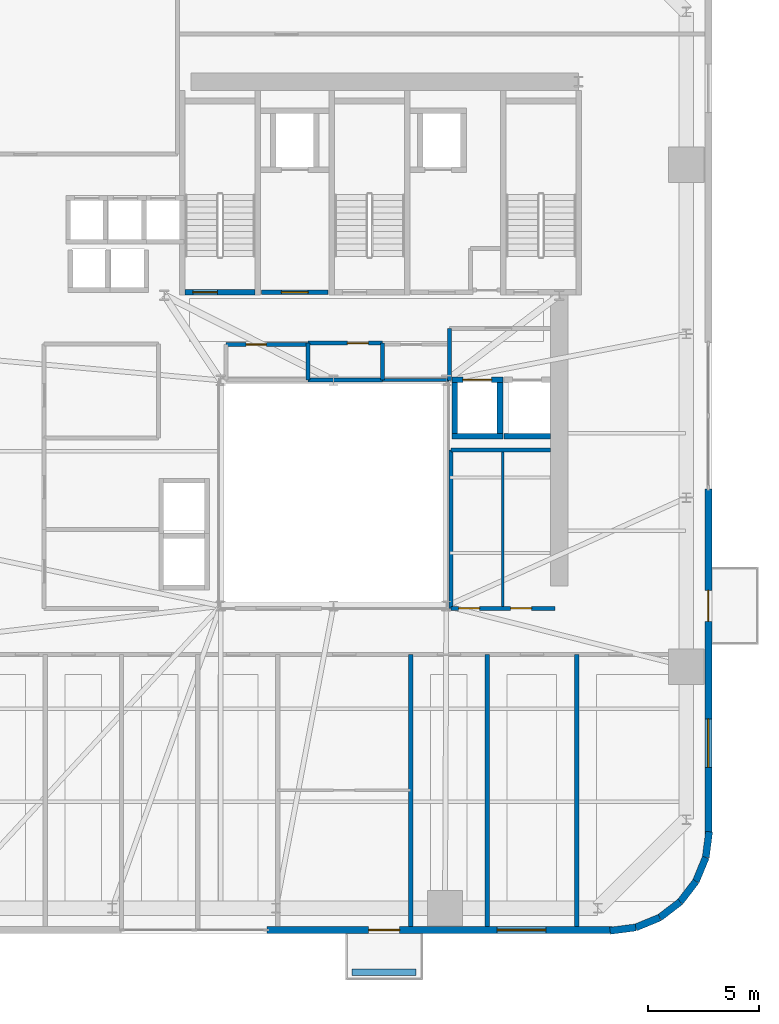
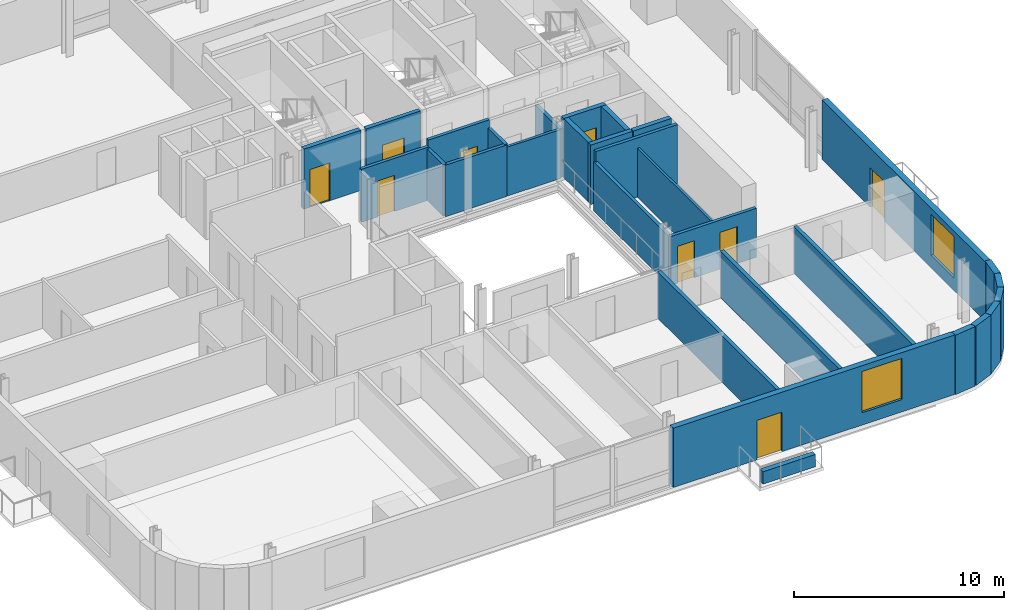
# One storey, part 7 of 11: 30 walls, 9 doors, 2 windows, 11 openings.
"""IFC4 building model written with IfcOpenShell, lengths in metres."""

from ifc_helpers import new_model, si_unit, direction, frame, frame_2d, origin, place, context, subcontext, project, spatial, rectangle, extrude, source, transform, mapped, material, layer, layer_set, type_object, element, fill, save


model = new_model("IFC4")

# Units and contexts
model_context = context("Model", 3, precision=1e-05, world=origin(), true_north=direction((0.0, 1.0)))
body_context = subcontext(model_context, "Body", "Model", "MODEL_VIEW")
ifc_project = project(units=[si_unit("LENGTHUNIT", "METRE"), si_unit("AREAUNIT", "SQUARE_METRE"), si_unit("VOLUMEUNIT", "CUBIC_METRE"), si_unit("PLANEANGLEUNIT", "RADIAN"), si_unit("MASSUNIT", "GRAM", prefix="KILO")], contexts=[model_context])

# Site, building, storey
site_placement = place(None, origin())
site = spatial("IfcSite", under=ifc_project, at=site_placement, CompositionType="ELEMENT")
building_placement = place(site_placement, origin())
building = spatial("IfcBuilding", under=site, at=building_placement, Name="Vardaveli Station Tower", CompositionType="ELEMENT")
storey_placement = place(building_placement, frame((0.0, 0.0, 137.199951171875)))
storey = spatial("IfcBuildingStorey", under=building, at=storey_placement, Name="L35", CompositionType="ELEMENT", Elevation=137.199951171875)

# Wall
ifc_material_1 = material(Name="Precast concrete C45/55", Category="concrete")
ifc_layer_1 = layer(ifc_material_1, 0.280029296875, Name="Precast concrete C45/55")
ifc_layer_set_1 = layer_set([ifc_layer_1], Name="Precast concrete C45/55")
wall_type_1 = type_object("IfcWallType", Name="WAL-PARAPET-280", PredefinedType="SOLIDWALL", material=ifc_layer_set_1)
shared_shape_1 = source(origin(), body_context, "Body", "SweptSolid", [
    extrude(rectangle(XDim=2.89990234375, YDim=0.280029296875, at=frame_2d((1.449951171875, 0.0))), origin(), (0.0, 0.0, 1.0), 0.719970703125),
])
wall_1_placement = place(storey_placement, frame((37.1396484375, 0.050048828125, 0.0), z_axis=(0.0, 0.0, 1.0), x_axis=(1.0, 0.0, 0.0)))
element("IfcWall", 1, at=wall_1_placement, inside=storey, type_object=wall_type_1, Name="Terrace Travertine Planter L35", PredefinedType="SOLIDWALL", context=body_context, shape_type="MappedRepresentation", body=[
    mapped(shared_shape_1, transform((0.0, 0.0, 0.0), scale=1.0)),
])

# Wall, openings, door, window
ifc_layer_2 = layer(ifc_material_1, 0.320068359375, Name="Precast concrete C45/55")
ifc_layer_set_2 = layer_set([ifc_layer_2], Name="Precast concrete C45/55")
wall_type_2 = type_object("IfcWallType", Name="WAL-EXT-STONE-320", PredefinedType="SOLIDWALL", material=ifc_layer_set_2)
shared_shape_2 = source(origin(), body_context, "Body", "SweptSolid", [
    extrude(rectangle(XDim=15.599853515625, YDim=0.320068359375, at=frame_2d((7.7998046875, 0.0))), origin(), (0.0, 0.0, 1.0), 3.4599609375),
])
wall_2_placement = place(storey_placement, frame((33.300048828125, 1.9599609375, 0.0), z_axis=(0.0, 0.0, 1.0), x_axis=(1.0, 0.0, 0.0)))
wall_2 = element("IfcWall", 2, at=wall_2_placement, inside=storey, type_object=wall_type_2, Name="EW-L35-S2", PredefinedType="SOLIDWALL", context=body_context, shape_type="MappedRepresentation", body=[
    mapped(shared_shape_2, transform((0.0, 0.0, 0.0), scale=1.0)),
])
shared_shape_3 = source(origin(), body_context, "Body", "SweptSolid", [
    extrude(rectangle(XDim=1.39990234375, YDim=2.300048828125, at=frame_2d((0.699951171875, 1.14990234375))), frame((0.0, 0.169921875, 0.0), z_axis=(0.0, -1.0, 0.0), x_axis=(1.0, 0.0, 0.0)), (0.0, 0.0, 1.0), 0.340087890625),
])
opening_1_placement = place(wall_2_placement, frame((4.589599609375, 0.0, 0.0)))
opening_1 = element("IfcOpeningElement", 3, at=opening_1_placement, cuts=wall_2, Name="Opening D-09", PredefinedType="OPENING", context=body_context, shape_type="MappedRepresentation", body=[
    mapped(shared_shape_3, transform((0.0, 0.0, 0.0), scale=1.0)),
])
shared_shape_4 = source(origin(), body_context, "Body", "SweptSolid", [
    extrude(rectangle(XDim=2.199951171875, YDim=2.39990234375, at=frame_2d((1.10009765625, 1.199951171875))), frame((0.0, 0.169921875, 0.0), z_axis=(0.0, -1.0, 0.0), x_axis=(1.0, 0.0, 0.0)), (0.0, 0.0, 1.0), 0.340087890625),
])
opening_2_placement = place(wall_2_placement, frame((10.39501953125, 0.0, 0.719970703125)))
opening_2 = element("IfcOpeningElement", 4, at=opening_2_placement, cuts=wall_2, Name="Opening W-03", PredefinedType="OPENING", context=body_context, shape_type="MappedRepresentation", body=[
    mapped(shared_shape_4, transform((0.0, 0.0, 0.0), scale=1.0)),
])
ifc_material_2 = material(Name="Thermally broken aluminium glass", Category="aluminium")
door_type_1 = type_object("IfcDoorType", Name="DR-LOG-1400x2300", OperationType="DOUBLE_DOOR_SLIDING", PredefinedType="DOOR", material=ifc_material_2)
shared_shape_5 = source(origin(), body_context, "Body", "SweptSolid", [
    extrude(rectangle(XDim=1.39990234375, YDim=2.300048828125, at=frame_2d((0.699951171875, 1.14990234375))), frame((0.0, 0.02490234375, 0.0), z_axis=(0.0, -1.0, 0.0), x_axis=(1.0, 0.0, 0.0)), (0.0, 0.0, 1.0), 0.050048828125),
])
door_1_placement = place(opening_1_placement, frame((1.39990234375, 0.0, 0.0), z_axis=(0.0, 0.0, 1.0), x_axis=(-1.0, 0.0, 0.0)))
door_1 = element("IfcDoor", 5, at=door_1_placement, inside=storey, type_object=door_type_1, Name="DLG-L35-S", OperationType="DOUBLE_DOOR_SLIDING", OverallHeight=2.300048828125, OverallWidth=1.39990234375, PredefinedType="DOOR", context=body_context, shape_type="MappedRepresentation", body=[
    mapped(shared_shape_5, transform((0.0, 0.0, 0.0), scale=1.0)),
])
fill(opening_1, door_1)
ifc_material_3 = material(Name="Low-E solar-control glass", Category="glass")
window_type = type_object("IfcWindowType", Name="WIN-LOG-2200x2400", PartitioningType="SINGLE_PANEL", PredefinedType="WINDOW", material=ifc_material_3)
shared_shape_6 = source(origin(), body_context, "Body", "SweptSolid", [
    extrude(rectangle(XDim=2.199951171875, YDim=2.39990234375, at=frame_2d((1.10009765625, 1.199951171875))), frame((0.0, 0.030029296875, 0.0), z_axis=(0.0, -1.0, 0.0), x_axis=(1.0, 0.0, 0.0)), (0.0, 0.0, 1.0), 0.06005859375),
])
window_1_placement = place(opening_2_placement, origin())
window_1 = element("IfcWindow", 6, at=window_1_placement, inside=storey, type_object=window_type, Name="WN-L35-S2", OverallHeight=2.39990234375, OverallWidth=2.199951171875, PartitioningType="SINGLE_PANEL", PredefinedType="WINDOW", context=body_context, shape_type="MappedRepresentation", body=[
    mapped(shared_shape_6, transform((0.0, 0.0, 0.0), scale=1.0)),
])
fill(opening_2, window_1)

wall_3_placement = place(storey_placement, frame((53.239990234375, 6.300048828125, 0.0), z_axis=(0.0, 0.0, 1.0), x_axis=(0.0, 1.0, 0.0)))
wall_3 = element("IfcWall", 7, at=wall_3_placement, inside=storey, type_object=wall_type_2, Name="EW-L35-E1", PredefinedType="SOLIDWALL", context=body_context, shape_type="MappedRepresentation", body=[
    mapped(shared_shape_2, transform((0.0, 0.0, 0.0), scale=1.0)),
])
opening_3_placement = place(wall_3_placement, frame((9.6103515625, 0.0, 0.0)))
opening_3 = element("IfcOpeningElement", 8, at=opening_3_placement, cuts=wall_3, Name="Opening D-09", PredefinedType="OPENING", context=body_context, shape_type="MappedRepresentation", body=[
    mapped(shared_shape_3, transform((0.0, 0.0, 0.0), scale=1.0)),
])
opening_4_placement = place(wall_3_placement, frame((3.0048828125, 0.0, 0.719970703125)))
opening_4 = element("IfcOpeningElement", 9, at=opening_4_placement, cuts=wall_3, Name="Opening W-03", PredefinedType="OPENING", context=body_context, shape_type="MappedRepresentation", body=[
    mapped(shared_shape_4, transform((0.0, 0.0, 0.0), scale=1.0)),
])
door_2_placement = place(opening_3_placement, frame((1.39990234375, 0.0, 0.0), z_axis=(0.0, 0.0, 1.0), x_axis=(-1.0, 0.0, 0.0)))
door_2 = element("IfcDoor", 10, at=door_2_placement, inside=storey, type_object=door_type_1, Name="DLG-L35-E", OperationType="DOUBLE_DOOR_SLIDING", OverallHeight=2.300048828125, OverallWidth=1.39990234375, PredefinedType="DOOR", context=body_context, shape_type="MappedRepresentation", body=[
    mapped(shared_shape_5, transform((0.0, 0.0, 0.0), scale=1.0)),
])
fill(opening_3, door_2)
window_2_placement = place(opening_4_placement, origin())
window_2 = element("IfcWindow", 11, at=window_2_placement, inside=storey, type_object=window_type, Name="WN-L35-E1", OverallHeight=2.39990234375, OverallWidth=2.199951171875, PartitioningType="SINGLE_PANEL", PredefinedType="WINDOW", context=body_context, shape_type="MappedRepresentation", body=[
    mapped(shared_shape_6, transform((0.0, 0.0, 0.0), scale=1.0)),
])
fill(opening_4, window_2)

# Walls
shared_shape_7 = source(origin(), body_context, "Body", "SweptSolid", [
    extrude(rectangle(XDim=1.170654296875, YDim=0.320068359375, at=frame_2d((0.58544921875, 0.0))), origin(), (0.0, 0.0, 1.0), 3.4599609375),
])
wall_4_placement = place(storey_placement, frame((53.12548828125, 5.23974609375, 0.0), z_axis=(0.0, 0.0, 1.0), x_axis=(0.128269133229, 0.991739395941, 0.0)))
element("IfcWall", 12, at=wall_4_placement, inside=storey, type_object=wall_type_2, Name="EW-L35-CR2-6", PredefinedType="SOLIDWALL", context=body_context, shape_type="MappedRepresentation", body=[
    mapped(shared_shape_7, transform((0.0, 0.0, 0.0), scale=1.0)),
])
shared_shape_8 = source(origin(), body_context, "Body", "SweptSolid", [
    extrude(rectangle(XDim=1.1689453125, YDim=0.320068359375, at=frame_2d((0.58447265625, 0.0))), origin(), (0.0, 0.0, 1.0), 3.4599609375),
])
for number, where, z_axis, x_axis, name in (
    (13, (51.96875, 3.231201171875, 0.0), (0.0, 0.0, 1.0), (0.608387696831, 0.793639975269, 0.0), "EW-L35-CR2-4"),
    (14, (52.679931640625, 4.158935546875, 0.0), (0.0, 0.0, 1.0), (0.381127904695, 0.924522320046, 0.0), "EW-L35-CR2-5"),
):
    element("IfcWall", number, at=place(storey_placement, frame(where, z_axis=z_axis, x_axis=x_axis)), inside=storey, type_object=wall_type_2, Name=name, PredefinedType="SOLIDWALL", context=body_context, shape_type="MappedRepresentation", body=[
        mapped(shared_shape_8, transform((0.0, 0.0, 0.0), scale=1.0)),
    ])
shared_shape_9 = source(origin(), body_context, "Body", "SweptSolid", [
    extrude(rectangle(XDim=1.168701171875, YDim=0.320068359375, at=frame_2d((0.58447265625, 0.0))), origin(), (0.0, 0.0, 1.0), 3.4599609375),
])
wall_5_placement = place(storey_placement, frame((51.041259765625, 2.520263671875, 0.0), z_axis=(0.0, 0.0, 1.0), x_axis=(0.793663520347, 0.608356981114, 0.0)))
element("IfcWall", 15, at=wall_5_placement, inside=storey, type_object=wall_type_2, Name="EW-L35-CR2-3", PredefinedType="SOLIDWALL", context=body_context, shape_type="MappedRepresentation", body=[
    mapped(shared_shape_9, transform((0.0, 0.0, 0.0), scale=1.0)),
])
shared_shape_10 = source(origin(), body_context, "Body", "SweptSolid", [
    extrude(rectangle(XDim=1.16943359375, YDim=0.320068359375, at=frame_2d((0.584716796875, 0.0))), origin(), (0.0, 0.0, 1.0), 3.4599609375),
])
wall_6_placement = place(storey_placement, frame((49.960205078125, 2.074462890625, 0.0), z_axis=(0.0, 0.0, 1.0), x_axis=(0.924479075121, 0.381232789334, 0.0)))
element("IfcWall", 16, at=wall_6_placement, inside=storey, type_object=wall_type_2, Name="EW-L35-CR2-2", PredefinedType="SOLIDWALL", context=body_context, shape_type="MappedRepresentation", body=[
    mapped(shared_shape_10, transform((0.0, 0.0, 0.0), scale=1.0)),
])
shared_shape_11 = source(origin(), body_context, "Body", "SweptSolid", [
    extrude(rectangle(XDim=1.170166015625, YDim=0.320068359375, at=frame_2d((0.5849609375, 0.0))), origin(), (0.0, 0.0, 1.0), 3.4599609375),
])
wall_7_placement = place(storey_placement, frame((48.799560546875, 1.924560546875, 0.0), z_axis=(0.0, 0.0, 1.0), x_axis=(0.991762485493, 0.128090485085, 0.0)))
element("IfcWall", 17, at=wall_7_placement, inside=storey, type_object=wall_type_2, Name="EW-L35-CR2-1", PredefinedType="SOLIDWALL", context=body_context, shape_type="MappedRepresentation", body=[
    mapped(shared_shape_11, transform((0.0, 0.0, 0.0), scale=1.0)),
])

# Wall, opening, door
ifc_material_4 = material(Name="Concrete C40/50", Category="concrete")
ifc_layer_3 = layer(ifc_material_4, 0.25, Name="Concrete C40/50")
ifc_layer_set_3 = layer_set([ifc_layer_3], Name="Concrete C40/50")
wall_type_3 = type_object("IfcWallType", Name="WAL-SHAFT-250", PredefinedType="SOLIDWALL", material=ifc_layer_set_3)
shared_shape_12 = source(origin(), body_context, "Body", "SweptSolid", [
    extrude(rectangle(XDim=3.14990234375, YDim=0.25, at=frame_2d((1.574951171875, 0.0))), origin(), (0.0, 0.0, 1.0), 3.5),
])
wall_8_placement = place(storey_placement, frame((29.60009765625, 30.77490234375, 0.0), z_axis=(0.0, 0.0, 1.0), x_axis=(1.0, 0.0, 0.0)))
wall_8 = element("IfcWall", 18, at=wall_8_placement, inside=storey, type_object=wall_type_3, Name="W-L35-ST-1S", PredefinedType="SOLIDWALL", context=body_context, shape_type="MappedRepresentation", body=[
    mapped(shared_shape_12, transform((0.0, 0.0, 0.0), scale=1.0)),
])
shared_shape_13 = source(origin(), body_context, "Body", "SweptSolid", [
    extrude(rectangle(XDim=1.10009765625, YDim=2.199951171875, at=frame_2d((0.550048828125, 1.10009765625))), frame((0.0, 0.135009765625, 0.0), z_axis=(0.0, -1.0, 0.0), x_axis=(1.0, 0.0, 0.0)), (0.0, 0.0, 1.0), 0.27001953125),
])
opening_5_placement = place(wall_8_placement, frame((0.35009765625, 0.0, 0.0)))
opening_5 = element("IfcOpeningElement", 19, at=opening_5_placement, cuts=wall_8, Name="Opening D-04", PredefinedType="OPENING", context=body_context, shape_type="MappedRepresentation", body=[
    mapped(shared_shape_13, transform((0.0, 0.0, 0.0), scale=1.0)),
])
ifc_material_5 = material(Name="Steel smokeproof fire doorset", Category="steel")
door_type_2 = type_object("IfcDoorType", Name="DR-ST-1100x2200", OperationType="NOTDEFINED", PredefinedType="DOOR", material=ifc_material_5)
shared_shape_14 = source(origin(), body_context, "Body", "SweptSolid", [
    extrude(rectangle(XDim=1.10009765625, YDim=2.199951171875, at=frame_2d((0.550048828125, 1.10009765625))), frame((0.0, 0.02490234375, 0.0), z_axis=(0.0, -1.0, 0.0), x_axis=(1.0, 0.0, 0.0)), (0.0, 0.0, 1.0), 0.050048828125),
])
door_3_placement = place(opening_5_placement, origin())
door_3 = element("IfcDoor", 20, at=door_3_placement, inside=storey, type_object=door_type_2, Name="DST-1-L35", OperationType="SINGLE_SWING_LEFT", OverallHeight=2.199951171875, OverallWidth=1.10009765625, PredefinedType="DOOR", context=body_context, shape_type="MappedRepresentation", body=[
    mapped(shared_shape_14, transform((0.0, 0.0, 0.0), scale=1.0)),
])
fill(opening_5, door_3)

ifc_layer_4 = layer(ifc_material_4, 0.219970703125, Name="Concrete C40/50")
ifc_layer_set_4 = layer_set([ifc_layer_4], Name="Concrete C40/50")
wall_type_4 = type_object("IfcWallType", Name="WAL-FFLOBBY-220", PredefinedType="SOLIDWALL", material=ifc_layer_set_4)
shared_shape_15 = source(origin(), body_context, "Body", "SweptSolid", [
    extrude(rectangle(XDim=3.0, YDim=0.219970703125, at=frame_2d((1.5, 0.0))), origin(), (0.0, 0.0, 1.0), 3.4599609375),
])
wall_9_placement = place(storey_placement, frame((33.050048828125, 30.780029296875, 0.0), z_axis=(0.0, 0.0, 1.0), x_axis=(1.0, 0.0, 0.0)))
wall_9 = element("IfcWall", 21, at=wall_9_placement, inside=storey, type_object=wall_type_4, Name="W-L35-FFL1S", PredefinedType="SOLIDWALL", context=body_context, shape_type="MappedRepresentation", body=[
    mapped(shared_shape_15, transform((0.0, 0.0, 0.0), scale=1.0)),
])
shared_shape_16 = source(origin(), body_context, "Body", "SweptSolid", [
    extrude(rectangle(XDim=1.199951171875, YDim=2.199951171875, at=frame_2d((0.60009765625, 1.10009765625))), frame((0.0, 0.1201171875, 0.0), z_axis=(0.0, -1.0, 0.0), x_axis=(1.0, 0.0, 0.0)), (0.0, 0.0, 1.0), 0.239990234375),
])
opening_6_placement = place(wall_9_placement, frame((0.89990234375, 0.0, 0.0)))
opening_6 = element("IfcOpeningElement", 22, at=opening_6_placement, cuts=wall_9, Name="Opening D-03", PredefinedType="OPENING", context=body_context, shape_type="MappedRepresentation", body=[
    mapped(shared_shape_16, transform((0.0, 0.0, 0.0), scale=1.0)),
])
door_type_3 = type_object("IfcDoorType", Name="DR-FFL-1200x2200", OperationType="NOTDEFINED", PredefinedType="DOOR", material=ifc_material_5)
shared_shape_17 = source(origin(), body_context, "Body", "SweptSolid", [
    extrude(rectangle(XDim=1.199951171875, YDim=2.199951171875, at=frame_2d((0.60009765625, 1.10009765625))), frame((0.0, 0.02490234375, 0.0), z_axis=(0.0, -1.0, 0.0), x_axis=(1.0, 0.0, 0.0)), (0.0, 0.0, 1.0), 0.050048828125),
])
door_4_placement = place(opening_6_placement, origin())
door_4 = element("IfcDoor", 23, at=door_4_placement, inside=storey, type_object=door_type_3, Name="DFFL1-L35", OperationType="SINGLE_SWING_LEFT", OverallHeight=2.199951171875, OverallWidth=1.199951171875, PredefinedType="DOOR", context=body_context, shape_type="MappedRepresentation", body=[
    mapped(shared_shape_17, transform((0.0, 0.0, 0.0), scale=1.0)),
])
fill(opening_6, door_4)

# Wall
shared_shape_18 = source(origin(), body_context, "Body", "SweptSolid", [
    extrude(rectangle(XDim=2.300048828125, YDim=0.25, at=frame_2d((1.14990234375, 0.0))), origin(), (0.0, 0.0, 1.0), 3.4599609375),
])
wall_10_placement = place(storey_placement, frame((41.64990234375, 24.27490234375, 0.0), z_axis=(0.0, 0.0, 1.0), x_axis=(1.0, 0.0, 0.0)))
element("IfcWall", 24, at=wall_10_placement, inside=storey, type_object=wall_type_3, Name="SHW-SRV-01-L35-S", PredefinedType="SOLIDWALL", context=body_context, shape_type="MappedRepresentation", body=[
    mapped(shared_shape_18, transform((0.0, 0.0, 0.0), scale=1.0)),
])

# Wall, opening, door
wall_11_placement = place(storey_placement, frame((41.64990234375, 26.824951171875, 0.0), z_axis=(0.0, 0.0, 1.0), x_axis=(1.0, 0.0, 0.0)))
wall_11 = element("IfcWall", 25, at=wall_11_placement, inside=storey, type_object=wall_type_3, Name="SHW-SRV-01-L35-N", PredefinedType="SOLIDWALL", context=body_context, shape_type="MappedRepresentation", body=[
    mapped(shared_shape_18, transform((0.0, 0.0, 0.0), scale=1.0)),
])
shared_shape_19 = source(origin(), body_context, "Body", "SweptSolid", [
    extrude(rectangle(XDim=1.300048828125, YDim=2.300048828125, at=frame_2d((0.64990234375, 1.14990234375))), frame((0.0, 0.135009765625, 0.0), z_axis=(0.0, -1.0, 0.0), x_axis=(1.0, 0.0, 0.0)), (0.0, 0.0, 1.0), 0.27001953125),
])
opening_7_placement = place(wall_11_placement, frame((0.5, 0.0, 0.0)))
opening_7 = element("IfcOpeningElement", 26, at=opening_7_placement, cuts=wall_11, Name="Opening LD-03", PredefinedType="OPENING", context=body_context, shape_type="MappedRepresentation", body=[
    mapped(shared_shape_19, transform((0.0, 0.0, 0.0), scale=1.0)),
])
ifc_material_6 = material(Name="Brushed stainless steel", Category="steel")
door_type_4 = type_object("IfcDoorType", Name="DR-LD-1300x2300", OperationType="DOUBLE_DOOR_SLIDING", PredefinedType="DOOR", material=ifc_material_6)
shared_shape_20 = source(origin(), body_context, "Body", "SweptSolid", [
    extrude(rectangle(XDim=1.300048828125, YDim=2.300048828125, at=frame_2d((0.64990234375, 1.14990234375))), frame((0.0, 0.02490234375, 0.0), z_axis=(0.0, -1.0, 0.0), x_axis=(1.0, 0.0, 0.0)), (0.0, 0.0, 1.0), 0.050048828125),
])
door_5_placement = place(opening_7_placement, origin())
door_5 = element("IfcDoor", 27, at=door_5_placement, inside=storey, type_object=door_type_4, Name="LD-SRV-01-L35", OperationType="DOUBLE_DOOR_SLIDING", OverallHeight=2.300048828125, OverallWidth=1.300048828125, PredefinedType="DOOR", context=body_context, shape_type="MappedRepresentation", body=[
    mapped(shared_shape_20, transform((0.0, 0.0, 0.0), scale=1.0)),
])
fill(opening_7, door_5)

# Walls
for number, where, z_axis, x_axis, name in (
    (28, (41.77490234375, 24.39990234375, 0.0), (0.0, 0.0, 1.0), (0.0, 1.0, 0.0), "SHW-SRV-01-L35-W"),
    (29, (43.824951171875, 24.39990234375, 0.0), (0.0, 0.0, 1.0), (0.0, 1.0, 0.0), "SHW-SRV-01-L35-E"),
):
    element("IfcWall", number, at=place(storey_placement, frame(where, z_axis=z_axis, x_axis=x_axis)), inside=storey, type_object=wall_type_3, Name=name, PredefinedType="SOLIDWALL", context=body_context, shape_type="MappedRepresentation", body=[
        mapped(shared_shape_18, transform((0.0, 0.0, 0.0), scale=1.0)),
    ])
shared_shape_21 = source(origin(), body_context, "Body", "SweptSolid", [
    extrude(rectangle(XDim=2.10009765625, YDim=0.25, at=frame_2d((1.050048828125, 0.0))), origin(), (0.0, 0.0, 1.0), 3.4599609375),
])
wall_12_placement = place(storey_placement, frame((44.0, 24.27490234375, 0.0), z_axis=(0.0, 0.0, 1.0), x_axis=(1.0, 0.0, 0.0)))
element("IfcWall", 30, at=wall_12_placement, inside=storey, type_object=wall_type_3, Name="SHW-SRV-02-L35-S", PredefinedType="SOLIDWALL", context=body_context, shape_type="MappedRepresentation", body=[
    mapped(shared_shape_21, transform((0.0, 0.0, 0.0), scale=1.0)),
])

# Wall, openings, doors
ifc_material_7 = material(Name="Fire-rated gypsum stud partition")
ifc_layer_5 = layer(ifc_material_7, 0.179931640625, Name="Fire-rated gypsum stud partition")
ifc_layer_set_5 = layer_set([ifc_layer_5], Name="Fire-rated gypsum stud partition")
wall_type_5 = type_object("IfcWallType", Name="WAL-CORR-180", PredefinedType="PARTITIONING", material=ifc_layer_set_5)
shared_shape_22 = source(origin(), body_context, "Body", "SweptSolid", [
    extrude(rectangle(XDim=4.699951171875, YDim=0.179931640625, at=frame_2d((2.35009765625, 0.0))), origin(), (0.0, 0.0, 1.0), 2.85205078125),
])
wall_13_placement = place(storey_placement, frame((41.60009765625, 16.5, 0.0), z_axis=(0.0, 0.0, 1.0), x_axis=(1.0, 0.0, 0.0)))
wall_13 = element("IfcWall", 31, at=wall_13_placement, inside=storey, type_object=wall_type_5, Name="W-L35-ATE-S", PredefinedType="PARTITIONING", context=body_context, shape_type="MappedRepresentation", body=[
    mapped(shared_shape_22, transform((0.0, 0.0, 0.0), scale=1.0)),
])
shared_shape_23 = source(origin(), body_context, "Body", "SweptSolid", [
    extrude(rectangle(XDim=0.949951171875, YDim=2.14990234375, at=frame_2d((0.47509765625, 1.074951171875))), frame((0.0, 0.10009765625, 0.0), z_axis=(0.0, -1.0, 0.0), x_axis=(1.0, 0.0, 0.0)), (0.0, 0.0, 1.0), 0.199951171875),
])
opening_8_placement = place(wall_13_placement, frame((0.35009765625, 0.0, 0.0)))
opening_8 = element("IfcOpeningElement", 32, at=opening_8_placement, cuts=wall_13, Name="Opening D-11", PredefinedType="OPENING", context=body_context, shape_type="MappedRepresentation", body=[
    mapped(shared_shape_23, transform((0.0, 0.0, 0.0), scale=1.0)),
])
opening_9_placement = place(wall_13_placement, frame((2.699951171875, 0.0, 0.0)))
opening_9 = element("IfcOpeningElement", 33, at=opening_9_placement, cuts=wall_13, Name="Opening D-11", PredefinedType="OPENING", context=body_context, shape_type="MappedRepresentation", body=[
    mapped(shared_shape_23, transform((0.0, 0.0, 0.0), scale=1.0)),
])
ifc_material_8 = material(Name="Oak veneer internal suite door")
door_type_5 = type_object("IfcDoorType", Name="DR-INT-950x2150", OperationType="NOTDEFINED", PredefinedType="DOOR", material=ifc_material_8)
shared_shape_24 = source(origin(), body_context, "Body", "SweptSolid", [
    extrude(rectangle(XDim=0.949951171875, YDim=2.14990234375, at=frame_2d((0.47509765625, 1.074951171875))), frame((0.0, 0.02490234375, 0.0), z_axis=(0.0, -1.0, 0.0), x_axis=(1.0, 0.0, 0.0)), (0.0, 0.0, 1.0), 0.050048828125),
])
door_6_placement = place(opening_8_placement, origin())
door_6 = element("IfcDoor", 34, at=door_6_placement, inside=storey, type_object=door_type_5, Name="D-L35-ATE1", OperationType="SINGLE_SWING_RIGHT", OverallHeight=2.14990234375, OverallWidth=0.949951171875, PredefinedType="DOOR", context=body_context, shape_type="MappedRepresentation", body=[
    mapped(shared_shape_24, transform((0.0, 0.0, 0.0), scale=1.0)),
])
fill(opening_8, door_6)
door_7_placement = place(opening_9_placement, origin())
door_7 = element("IfcDoor", 35, at=door_7_placement, inside=storey, type_object=door_type_5, Name="D-L35-ATE2", OperationType="SINGLE_SWING_RIGHT", OverallHeight=2.14990234375, OverallWidth=0.949951171875, PredefinedType="DOOR", context=body_context, shape_type="MappedRepresentation", body=[
    mapped(shared_shape_24, transform((0.0, 0.0, 0.0), scale=1.0)),
])
fill(opening_9, door_7)

# Walls
shared_shape_25 = source(origin(), body_context, "Body", "SweptSolid", [
    extrude(rectangle(XDim=7.14990234375, YDim=0.179931640625, at=frame_2d((3.574951171875, 0.0))), origin(), (0.0, 0.0, 1.0), 2.85205078125),
])
wall_14_placement = place(storey_placement, frame((41.60009765625, 16.5, 0.0), z_axis=(0.0, 0.0, 1.0), x_axis=(0.0, 1.0, 0.0)))
element("IfcWall", 36, at=wall_14_placement, inside=storey, type_object=wall_type_5, Name="W-L35-ATE-W", PredefinedType="PARTITIONING", context=body_context, shape_type="MappedRepresentation", body=[
    mapped(shared_shape_25, transform((0.0, 0.0, 0.0), scale=1.0)),
])
ifc_material_9 = material(Name="Gypsum board stud partition")
ifc_layer_6 = layer(ifc_material_9, 0.125, Name="Gypsum board stud partition")
ifc_layer_set_6 = layer_set([ifc_layer_6], Name="Gypsum board stud partition")
wall_type_6 = type_object("IfcWallType", Name="WAL-INT-125", PredefinedType="PARTITIONING", material=ifc_layer_set_6)
shared_shape_26 = source(origin(), body_context, "Body", "SweptSolid", [
    extrude(rectangle(XDim=7.14990234375, YDim=0.125, at=frame_2d((3.574951171875, 0.0))), origin(), (0.0, 0.0, 1.0), 2.85205078125),
])
wall_15_placement = place(storey_placement, frame((43.949951171875, 16.5, 0.0), z_axis=(0.0, 0.0, 1.0), x_axis=(0.0, 1.0, 0.0)))
element("IfcWall", 37, at=wall_15_placement, inside=storey, type_object=wall_type_6, Name="W-L35-ATEM", PredefinedType="PARTITIONING", context=body_context, shape_type="MappedRepresentation", body=[
    mapped(shared_shape_26, transform((0.0, 0.0, 0.0), scale=1.0)),
])
shared_shape_27 = source(origin(), body_context, "Body", "SweptSolid", [
    extrude(rectangle(XDim=4.497802734375, YDim=0.179931640625, at=frame_2d((2.2490234375, 0.0))), origin(), (0.0, 0.0, 1.0), 3.4599609375),
])
wall_16_placement = place(storey_placement, frame((41.60009765625, 23.64990234375, 0.0), z_axis=(0.0, 0.0, 1.0), x_axis=(1.0, 0.0, 0.0)))
element("IfcWall", 38, at=wall_16_placement, inside=storey, type_object=wall_type_5, Name="W-L35-ATE-N", PredefinedType="PARTITIONING", context=body_context, shape_type="MappedRepresentation", body=[
    mapped(shared_shape_27, transform((0.0, 0.0, 0.0), scale=1.0)),
])
shared_shape_28 = source(origin(), body_context, "Body", "SweptSolid", [
    extrude(rectangle(XDim=2.349853515625, YDim=0.179931640625, at=frame_2d((1.1748046875, 0.0))), origin(), (0.0, 0.0, 1.0), 2.85205078125),
])
wall_17_placement = place(storey_placement, frame((41.550048828125, 26.800048828125, 0.0), z_axis=(0.0, 0.0, 1.0), x_axis=(0.0, 1.0, 0.0)))
element("IfcWall", 39, at=wall_17_placement, inside=storey, type_object=wall_type_5, Name="W-L35-SVFW", PredefinedType="PARTITIONING", context=body_context, shape_type="MappedRepresentation", body=[
    mapped(shared_shape_28, transform((0.0, 0.0, 0.0), scale=1.0)),
])

# Wall, opening, door
shared_shape_29 = source(origin(), body_context, "Body", "SweptSolid", [
    extrude(rectangle(XDim=3.699951171875, YDim=0.179931640625, at=frame_2d((1.85009765625, 0.0))), origin(), (0.0, 0.0, 1.0), 3.092041015625),
])
wall_18_placement = place(storey_placement, frame((31.449951171875, 28.419921875, 0.0), z_axis=(0.0, 0.0, 1.0), x_axis=(1.0, 0.0, 0.0)))
wall_18 = element("IfcWall", 40, at=wall_18_placement, inside=storey, type_object=wall_type_5, Name="W-L35-CS2A-N", PredefinedType="PARTITIONING", context=body_context, shape_type="MappedRepresentation", body=[
    mapped(shared_shape_29, transform((0.0, 0.0, 0.0), scale=1.0)),
])
shared_shape_30 = source(origin(), body_context, "Body", "SweptSolid", [
    extrude(rectangle(XDim=0.919921875, YDim=2.10009765625, at=frame_2d((0.4599609375, 1.050048828125))), frame((0.0, 0.10009765625, 0.0), z_axis=(0.0, -1.0, 0.0), x_axis=(1.0, 0.0, 0.0)), (0.0, 0.0, 1.0), 0.199951171875),
])
opening_10_placement = place(wall_18_placement, frame((0.89990234375, 0.0, 0.0)))
opening_10 = element("IfcOpeningElement", 41, at=opening_10_placement, cuts=wall_18, Name="Opening D-07", PredefinedType="OPENING", context=body_context, shape_type="MappedRepresentation", body=[
    mapped(shared_shape_30, transform((0.0, 0.0, 0.0), scale=1.0)),
])
ifc_material_10 = material(Name="Moisture-resistant hardwood door", Category="wood")
door_type_6 = type_object("IfcDoorType", Name="DR-WC-920x2100", OperationType="NOTDEFINED", PredefinedType="DOOR", material=ifc_material_10)
shared_shape_31 = source(origin(), body_context, "Body", "SweptSolid", [
    extrude(rectangle(XDim=0.919921875, YDim=2.10009765625, at=frame_2d((0.4599609375, 1.050048828125))), frame((0.0, 0.02490234375, 0.0), z_axis=(0.0, -1.0, 0.0), x_axis=(1.0, 0.0, 0.0)), (0.0, 0.0, 1.0), 0.050048828125),
])
door_8_placement = place(opening_10_placement, origin())
door_8 = element("IfcDoor", 42, at=door_8_placement, inside=storey, type_object=door_type_6, Name="D-L35-CS2A", OperationType="SINGLE_SWING_RIGHT", OverallHeight=2.10009765625, OverallWidth=0.919921875, PredefinedType="DOOR", context=body_context, shape_type="MappedRepresentation", body=[
    mapped(shared_shape_31, transform((0.0, 0.0, 0.0), scale=1.0)),
])
fill(opening_10, door_8)

shared_shape_32 = source(origin(), body_context, "Body", "SweptSolid", [
    extrude(rectangle(XDim=3.3701171875, YDim=0.179931640625, at=frame_2d((1.68505859375, 0.0))), origin(), (0.0, 0.0, 1.0), 3.4599609375),
])
wall_19_placement = place(storey_placement, frame((35.14990234375, 28.47998046875, 0.0), z_axis=(0.0, 0.0, 1.0), x_axis=(1.0, 0.0, 0.0)))
wall_19 = element("IfcWall", 43, at=wall_19_placement, inside=storey, type_object=wall_type_5, Name="W-L35-HKP2-N", PredefinedType="PARTITIONING", context=body_context, shape_type="MappedRepresentation", body=[
    mapped(shared_shape_32, transform((0.0, 0.0, 0.0), scale=1.0)),
])
opening_11_placement = place(wall_19_placement, frame((1.77490234375, 0.0, 0.0)))
opening_11 = element("IfcOpeningElement", 44, at=opening_11_placement, cuts=wall_19, Name="Opening D-06", PredefinedType="OPENING", context=body_context, shape_type="MappedRepresentation", body=[
    mapped(shared_shape_23, transform((0.0, 0.0, 0.0), scale=1.0)),
])
ifc_material_11 = material(Name="Oak veneer acoustic fire door")
door_type_7 = type_object("IfcDoorType", Name="DR-GUEST-950x2150", OperationType="NOTDEFINED", PredefinedType="DOOR", material=ifc_material_11)
door_9_placement = place(opening_11_placement, origin())
door_9 = element("IfcDoor", 45, at=door_9_placement, inside=storey, type_object=door_type_7, Name="D-L35-HKP", OperationType="SINGLE_SWING_LEFT", OverallHeight=2.14990234375, OverallWidth=0.949951171875, PredefinedType="DOOR", context=body_context, shape_type="MappedRepresentation", body=[
    mapped(shared_shape_24, transform((0.0, 0.0, 0.0), scale=1.0)),
])
fill(opening_11, door_9)

# Walls
shared_shape_33 = source(origin(), body_context, "Body", "SweptSolid", [
    extrude(rectangle(XDim=3.3701171875, YDim=0.179931640625, at=frame_2d((1.68505859375, 0.0))), origin(), (0.0, 0.0, 1.0), 3.001953125),
])
wall_20_placement = place(storey_placement, frame((35.14990234375, 26.820068359375, 0.0), z_axis=(0.0, 0.0, 1.0), x_axis=(1.0, 0.0, 0.0)))
element("IfcWall", 46, at=wall_20_placement, inside=storey, type_object=wall_type_5, Name="W-L35-HKP2-S", PredefinedType="PARTITIONING", context=body_context, shape_type="MappedRepresentation", body=[
    mapped(shared_shape_33, transform((0.0, 0.0, 0.0), scale=1.0)),
])
ifc_material_12 = material(Name="Moisture-resistant stud partition")
ifc_layer_7 = layer(ifc_material_12, 0.14990234375, Name="Moisture-resistant stud partition")
ifc_layer_set_7 = layer_set([ifc_layer_7], Name="Moisture-resistant stud partition")
wall_type_7 = type_object("IfcWallType", Name="WAL-WET-150", PredefinedType="PARTITIONING", material=ifc_layer_set_7)
shared_shape_34 = source(origin(), body_context, "Body", "SweptSolid", [
    extrude(rectangle(XDim=3.0, YDim=0.14990234375, at=frame_2d((1.5, 0.0))), origin(), (0.0, 0.0, 1.0), 2.85205078125),
])
wall_21_placement = place(storey_placement, frame((38.52001953125, 26.820068359375, 0.0), z_axis=(0.0, 0.0, 1.0), x_axis=(1.0, 0.0, 0.0)))
element("IfcWall", 47, at=wall_21_placement, inside=storey, type_object=wall_type_7, Name="W-L35-WCA2-S", PredefinedType="PARTITIONING", context=body_context, shape_type="MappedRepresentation", body=[
    mapped(shared_shape_34, transform((0.0, 0.0, 0.0), scale=1.0)),
])
shared_shape_35 = source(origin(), body_context, "Body", "SweptSolid", [
    extrude(rectangle(XDim=1.659912109375, YDim=0.179931640625, at=frame_2d((0.830078125, 0.0))), origin(), (0.0, 0.0, 1.0), 3.001953125),
])
for number, where, z_axis, x_axis, name in (
    (48, (35.14990234375, 26.820068359375, 0.0), (0.0, 0.0, 1.0), (0.0, 1.0, 0.0), "W-L35-HKP2-W"),
    (49, (38.52001953125, 26.820068359375, 0.0), (0.0, 0.0, 1.0), (0.0, 1.0, 0.0), "W-L35-HKP2-E"),
):
    element("IfcWall", number, at=place(storey_placement, frame(where, z_axis=z_axis, x_axis=x_axis)), inside=storey, type_object=wall_type_5, Name=name, PredefinedType="PARTITIONING", context=body_context, shape_type="MappedRepresentation", body=[
        mapped(shared_shape_35, transform((0.0, 0.0, 0.0), scale=1.0)),
    ])
ifc_material_13 = material(Name="Acoustic twin-stud gypsum partition")
ifc_layer_8 = layer(ifc_material_13, 0.199951171875, Name="Acoustic twin-stud gypsum partition")
ifc_layer_set_8 = layer_set([ifc_layer_8], Name="Acoustic twin-stud gypsum partition")
wall_type_8 = type_object("IfcWallType", Name="WAL-PARTY-200", PredefinedType="PARTITIONING", material=ifc_layer_set_8)
shared_shape_36 = source(origin(), body_context, "Body", "SweptSolid", [
    extrude(rectangle(XDim=12.27783203125, YDim=0.199951171875, at=frame_2d((6.138916015625, 0.0))), origin(), (0.0, 0.0, 1.0), 2.7021484375),
])
for number, where, z_axis, x_axis, name in (
    (50, (39.7900390625, 2.1220703125, 0.0), (0.0, 0.0, 1.0), (0.0, 1.0, 0.0), "W-L35-PS5"),
    (51, (43.239990234375, 2.1220703125, 0.0), (0.0, 0.0, 1.0), (0.0, 1.0, 0.0), "W-L35-PS6"),
    (52, (47.2880859375, 2.1220703125, 0.0), (0.0, 0.0, 1.0), (0.0, 1.0, 0.0), "W-L35-PS7"),
):
    element("IfcWall", number, at=place(storey_placement, frame(where, z_axis=z_axis, x_axis=x_axis)), inside=storey, type_object=wall_type_8, Name=name, PredefinedType="PARTITIONING", context=body_context, shape_type="MappedRepresentation", body=[
        mapped(shared_shape_36, transform((0.0, 0.0, 0.0), scale=1.0)),
    ])

save(model, "model.ifc")
